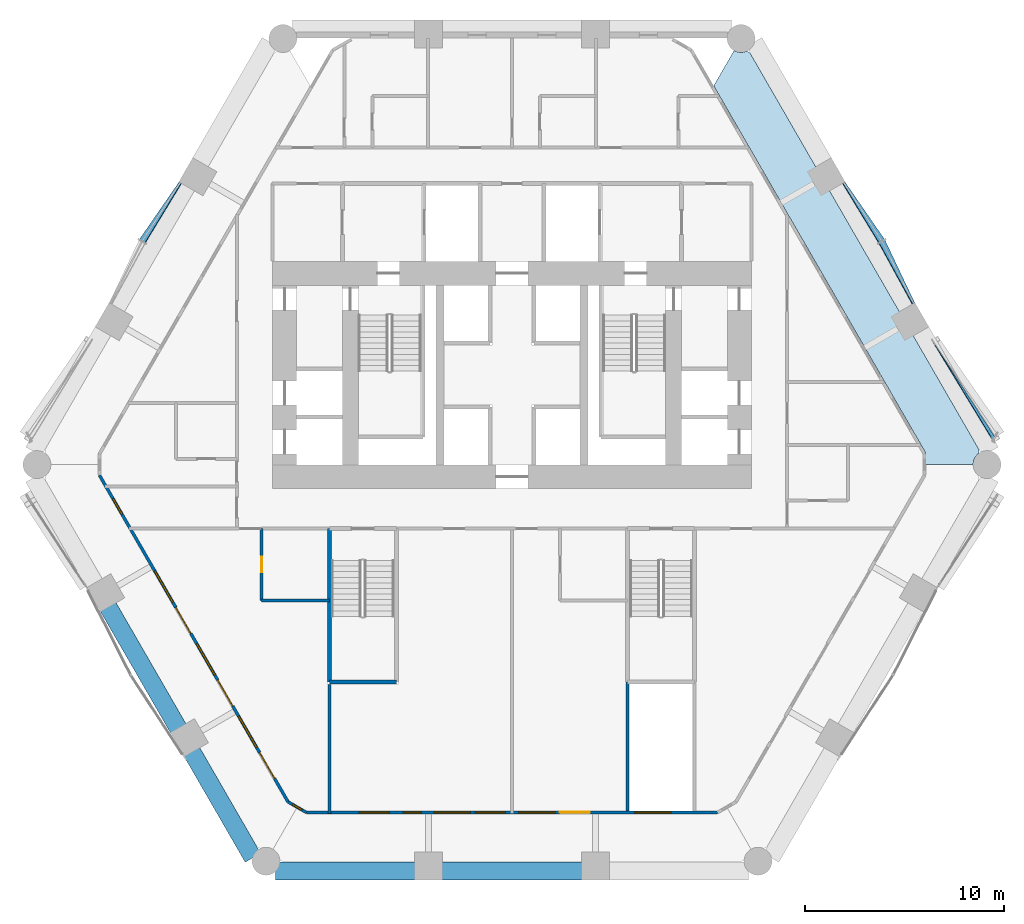
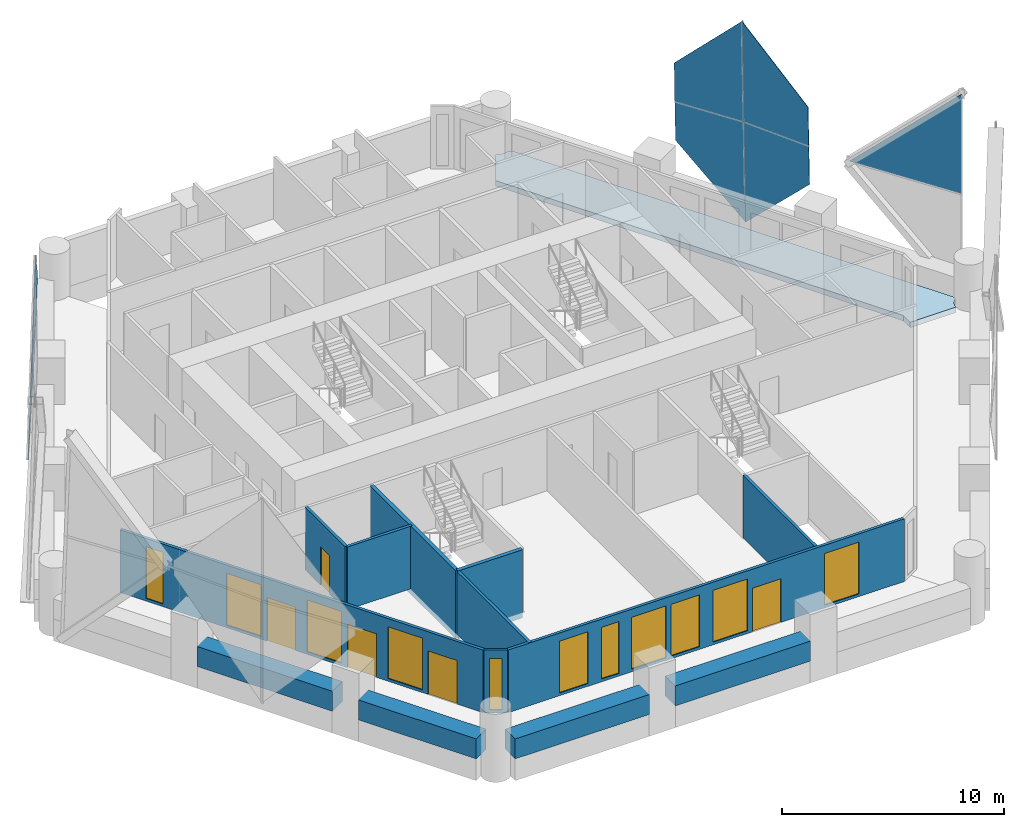
# One storey, part 8 of 16: 13 walls, 11 windows, 7 plates, 5 doors, 1 slab, 16 openings, 6 elements without a shape of their own.
"""IFC4 building model written with IfcOpenShell, lengths in metres."""

from ifc_helpers import new_model, si_unit, direction, frame, frame_2d, origin, place, context, subcontext, project, spatial, polyline, rectangle, outline, extrude, material, layer, layer_set, type_object, element, fill, aggregate, save


model = new_model("IFC4")

# Units and contexts
model_context = context("Model", 3, precision=1e-05, world=origin(), true_north=direction((0.0, 1.0)))
body_context = subcontext(model_context, "Body", "Model", "MODEL_VIEW")
ifc_project = project(units=[si_unit("LENGTHUNIT", "METRE"), si_unit("AREAUNIT", "SQUARE_METRE"), si_unit("VOLUMEUNIT", "CUBIC_METRE"), si_unit("PLANEANGLEUNIT", "RADIAN"), si_unit("MASSUNIT", "GRAM", prefix="KILO")], contexts=[model_context])

# Site, building, storey
site_placement = place(None, origin())
site = spatial("IfcSite", under=ifc_project, at=site_placement, CompositionType="ELEMENT")
building_placement = place(site_placement, origin())
building = spatial("IfcBuilding", under=site, at=building_placement, Name="Ostrander Bayou Hotel Tower", CompositionType="ELEMENT")
storey_placement = place(building_placement, frame((0.0, 0.0, 58.0)))
storey = spatial("IfcBuildingStorey", under=building, at=storey_placement, Name="L14", CompositionType="ELEMENT", Elevation=58.0)

# Curtain wall, plate
ifc_material_1 = material(Name="Aluminium and clear glass", Category="aluminium")
curtain_wall_type = type_object("IfcCurtainWallType", Name="CW-LAT lattice glazing", PredefinedType="NOTDEFINED", material=ifc_material_1)
curtain_wall_1_placement = place(storey_placement, origin())
curtain_wall_1 = element("IfcCurtainWall", 1, at=curtain_wall_1_placement, inside=storey, type_object=curtain_wall_type, Name="CW-LAT L14 NW 1", PredefinedType="NOTDEFINED")
ifc_material_2 = material(Name="Clear laminated glass", Category="glass")
ifc_layer_1 = layer(ifc_material_2, 0.028076171875)
ifc_layer_set_1 = layer_set([ifc_layer_1], Name="CW-LA glazing panel 28 mm")
plate_type = type_object("IfcPlateType", Name="CW-LA glazing panel 28 mm", PredefinedType="CURTAIN_PANEL", material=ifc_layer_set_1)
plate_1_placement = place(storey_placement, frame((-16.699462890625, 13.66943359375, 2.8642578125), z_axis=(-0.838524001755, 0.544090675387, 0.02903162823), x_axis=(-0.40382208986, -0.584811603426, -0.703507717256)))
plate_1 = element("IfcPlate", 2, at=plate_1_placement, type_object=plate_type, Name="CW-LAT panel 1", PredefinedType="CURTAIN_PANEL", context=body_context, shape_type="SweptSolid", body=[
    extrude(outline(polyline([(0.0, 0.0), (4.924400171824253, -4.440892098500626e-16), (0.957817473935084, 3.991689721168232), (-1.5200857145184392, 1.5367737667632806), (0.0, 0.0)])), origin(), (0.0, 0.0, -1.0), 0.028076171875),
])
aggregate(curtain_wall_1, [plate_1])

curtain_wall_2_placement = place(storey_placement, origin())
curtain_wall_2 = element("IfcCurtainWall", 3, at=curtain_wall_2_placement, inside=storey, type_object=curtain_wall_type, Name="CW-LAT L14 NW 2", PredefinedType="NOTDEFINED")
plate_2_placement = place(storey_placement, frame((-16.59228515625, 13.60400390625, 7.188720703125), z_axis=(-0.838541162864, 0.544063304229, 0.029048910018), x_axis=(-0.368913685949, -0.606209203595, 0.704565890316)))
plate_2 = element("IfcPlate", 4, at=plate_2_placement, type_object=plate_type, Name="CW-LAT panel 2", PredefinedType="CURTAIN_PANEL", context=body_context, shape_type="SweptSolid", body=[
    extrude(outline(polyline([(0.0, 0.0), (4.912504097474547, 0.0), (0.9520696871846834, -3.9977985960888356), (-1.525818217336063, -1.5355578216729244), (0.0, 0.0)])), origin(), (0.0, 0.0, -1.0), 0.028076171875),
])
aggregate(curtain_wall_2, [plate_2])

curtain_wall_3_placement = place(storey_placement, origin())
curtain_wall_3 = element("IfcCurtainWall", 5, at=curtain_wall_3_placement, inside=storey, type_object=curtain_wall_type, Name="CW-LAT L14 NE 4", PredefinedType="NOTDEFINED")
plate_3_placement = place(storey_placement, frame((21.12353515625, 5.655029296875, 5.02490234375), z_axis=(0.83853812444, 0.544023605388, 0.029868556061), x_axis=(0.371713120223, -0.611304029252, 0.698667832431)))
plate_3 = element("IfcPlate", 6, at=plate_3_placement, type_object=plate_type, Name="CW-LAT panel 2", PredefinedType="CURTAIN_PANEL", context=body_context, shape_type="SweptSolid", body=[
    extrude(outline(polyline([(0.0, 0.0), (8.051036184717628, 0.0), (4.056065653857604, 3.9644006906785543), (0.0, 0.0)])), origin(), (0.0, 0.0, -1.0), 0.028076171875),
])

curtain_wall_4_placement = place(storey_placement, origin())
curtain_wall_4 = element("IfcCurtainWall", 7, at=curtain_wall_4_placement, inside=storey, type_object=curtain_wall_type, Name="CW-LAT L14 NE 1", PredefinedType="NOTDEFINED")
plate_4_placement = place(storey_placement, frame((20.18798828125, 7.62744140625, 2.8642578125), z_axis=(0.890439229566, 0.454174800293, 0.029038409525), x_axis=(-0.304579991405, 0.642127874992, -0.703493298471)))
plate_4 = element("IfcPlate", 8, at=plate_4_placement, type_object=plate_type, Name="CW-LAT panel 3", PredefinedType="CURTAIN_PANEL", context=body_context, shape_type="SweptSolid", body=[
    extrude(outline(polyline([(0.0, 0.0), (4.924499416356454, 0.0), (0.9579608323994302, 3.991733556253059), (-1.5199176317684213, 1.536942505169317), (0.0, 0.0)])), origin(), (0.0, 0.0, -1.0), 0.028076171875),
])
aggregate(curtain_wall_4, [plate_4])

curtain_wall_5_placement = place(storey_placement, origin())
curtain_wall_5 = element("IfcCurtainWall", 9, at=curtain_wall_5_placement, inside=storey, type_object=curtain_wall_type, Name="CW-LAT L14 NE 2", PredefinedType="NOTDEFINED")
plate_5_placement = place(storey_placement, frame((20.07763671875, 7.567138671875, 7.188720703125), z_axis=(0.890447580479, 0.454158167549, 0.029042473495), x_axis=(-0.340543410235, 0.622635300679, 0.704524994655)))
plate_5 = element("IfcPlate", 10, at=plate_5_placement, type_object=plate_type, Name="CW-LAT panel 4", PredefinedType="CURTAIN_PANEL", context=body_context, shape_type="SweptSolid", body=[
    extrude(outline(polyline([(0.0, 0.0), (4.912791143011278, 0.0), (0.9524569700453673, -3.9978978933566216), (-1.5257180513649684, -1.5356548986599683), (0.0, 0.0)])), origin(), (0.0, 0.0, -1.0), 0.028076171875),
])
aggregate(curtain_wall_5, [plate_5])

curtain_wall_6_placement = place(storey_placement, origin())
curtain_wall_6 = element("IfcCurtainWall", 11, at=curtain_wall_6_placement, inside=storey, type_object=curtain_wall_type, Name="CW-LAT L14 NE 3", PredefinedType="NOTDEFINED")
plate_6_placement = place(storey_placement, frame((16.699462890625, 13.66943359375, 2.8642578125), z_axis=(0.838524001755, 0.544090675387, 0.02903162823), x_axis=(0.40382208986, -0.584811603426, -0.703507717256)))
plate_6 = element("IfcPlate", 12, at=plate_6_placement, type_object=plate_type, Name="CW-LAT panel 5", PredefinedType="CURTAIN_PANEL", context=body_context, shape_type="SweptSolid", body=[
    extrude(outline(polyline([(0.0, 0.0), (4.924400171824253, 4.440892098500626e-16), (0.957817473935084, -3.991689721168232), (-1.5200857145184392, -1.5367737667632806), (0.0, 0.0)])), origin(), (0.0, 0.0, -1.0), 0.028076171875),
])
aggregate(curtain_wall_6, [plate_6])

# Plate
plate_7_placement = place(storey_placement, frame((16.59228515625, 13.60400390625, 7.188720703125), z_axis=(0.838541162864, 0.544063304229, 0.029048910018), x_axis=(0.368913685949, -0.606209203595, 0.704565890316)))
plate_7 = element("IfcPlate", 13, at=plate_7_placement, type_object=plate_type, Name="CW-LAT panel 6", PredefinedType="CURTAIN_PANEL", context=body_context, shape_type="SweptSolid", body=[
    extrude(outline(polyline([(0.0, 0.0), (4.912504097474547, 0.0), (0.9520696871846834, 3.9977985960888356), (-1.525818217336063, 1.5355578216729244), (0.0, 0.0)])), origin(), (0.0, 0.0, -1.0), 0.028076171875),
])

aggregate(curtain_wall_3, [plate_3, plate_7])

# Slab
ifc_material_3 = material(Name="Concrete f'c 40 MPa", Category="concrete")
ifc_layer_2 = layer(ifc_material_3, 0.300048828125)
ifc_layer_set_2 = layer_set([ifc_layer_2], Name="SL4 loggia slab 300 mm f'c 40 MPa")
slab_type = type_object("IfcSlabType", Name="SL4 loggia slab 300 mm f'c 40 MPa", PredefinedType="FLOOR", material=ifc_layer_set_2)
slab_placement = place(storey_placement, frame((0.0, 0.0, -0.300048828125)))
element("IfcSlab", 14, at=slab_placement, inside=storey, type_object=slab_type, Name="SL4 LOGGIA L14 NE 1", PredefinedType="FLOOR", context=body_context, shape_type="SweptSolid", body=[
    extrude(outline(polyline([(11.13525390625, 20.2685546875), (11.2158203125, 20.2255859375), (11.34716796875, 20.185791015625), (11.483642578125, 20.172119140625), (11.620361328125, 20.185791015625), (11.751708984375, 20.2255859375), (11.777587890625, 20.239501953125), (11.9326171875, 20.14990234375), (17.70068359375, 10.159423828125), (19.4375, 7.1513671875), (20.107421875, 5.990966796875), (23.416748046875, 0.259033203125), (23.416748046875, 0.081298828125), (23.32275390625, 0.00390625), (23.235595703125, -0.10205078125), (23.1708984375, -0.22314453125), (23.131103515625, -0.3544921875), (23.11767578125, -0.490966796875), (20.732177734375, -0.490966796875), (20.732177734375, 0.10888671875), (10.114013671875, 18.5), (11.13525390625, 20.2685546875)])), origin(), (0.0, 0.0, 1.0), 0.300048828125),
])

# Wall, openings, doors, windows
ifc_material_4 = material(Name="Aluminium framed insulated wall", Category="aluminium")
ifc_layer_3 = layer(ifc_material_4, 0.14990234375)
ifc_layer_set_3 = layer_set([ifc_layer_3], Name="GW1 glass-line wall 150 mm")
wall_type_1 = type_object("IfcWallType", Name="GW1 glass-line wall 150 mm", PredefinedType="SOLIDWALL", material=ifc_layer_set_3)
wall_1_placement = place(storey_placement, frame((-20.6845703125, -1.0234375, 0.0), z_axis=(0.0, 0.0, 1.0), x_axis=(0.500004426522, -0.866022848116, 0.0)))
wall_1 = element("IfcWall", 15, at=wall_1_placement, inside=storey, type_object=wall_type_1, Name="GW1 L14 SW 1", PredefinedType="SOLIDWALL", context=body_context, shape_type="SweptSolid", body=[
    extrude(rectangle(XDim=18.911865234375, YDim=0.14990234375, at=frame_2d((9.4560546875, 0.0))), origin(), (0.0, 0.0, 1.0), 3.449951171875),
])
opening_1_placement = place(wall_1_placement, frame((1.35595703125, 0.0, 0.14990234375)))
opening_1 = element("IfcOpeningElement", 16, at=opening_1_placement, cuts=wall_1, Name="Opening W15", PredefinedType="OPENING", context=body_context, shape_type="SweptSolid", body=[
    extrude(rectangle(XDim=0.89990234375, YDim=2.85009765625, at=frame_2d((0.449951171875, 1.425048828125))), frame((0.0, 0.074951171875, 0.0), z_axis=(0.0, -1.0, 0.0), x_axis=(1.0, 0.0, 0.0)), (0.0, 0.0, 1.0), 0.14990234375),
])
opening_2_placement = place(wall_1_placement, frame((5.555908203125, 0.0, 0.14990234375)))
opening_2 = element("IfcOpeningElement", 17, at=opening_2_placement, cuts=wall_1, Name="Opening W1", PredefinedType="OPENING", context=body_context, shape_type="SweptSolid", body=[
    extrude(rectangle(XDim=1.800048828125, YDim=2.85009765625, at=frame_2d((0.89990234375, 1.425048828125))), frame((0.0, 0.074951171875, 0.0), z_axis=(0.0, -1.0, 0.0), x_axis=(1.0, 0.0, 0.0)), (0.0, 0.0, 1.0), 0.14990234375),
])
opening_3_placement = place(wall_1_placement, frame((7.656005859375, 0.0, 0.0)))
opening_3 = element("IfcOpeningElement", 18, at=opening_3_placement, cuts=wall_1, Name="Opening T12-800", PredefinedType="OPENING", context=body_context, shape_type="SweptSolid", body=[
    extrude(rectangle(XDim=1.5, YDim=2.39990234375, at=frame_2d((0.75, 1.199951171875))), frame((0.0, 0.074951171875, 0.0), z_axis=(0.0, -1.0, 0.0), x_axis=(1.0, 0.0, 0.0)), (0.0, 0.0, 1.0), 0.14990234375),
])
opening_4_placement = place(wall_1_placement, frame((9.755859375, 0.0, 0.14990234375)))
opening_4 = element("IfcOpeningElement", 19, at=opening_4_placement, cuts=wall_1, Name="Opening W1", PredefinedType="OPENING", context=body_context, shape_type="SweptSolid", body=[
    extrude(rectangle(XDim=1.800048828125, YDim=2.85009765625, at=frame_2d((0.89990234375, 1.425048828125))), frame((0.0, 0.074951171875, 0.0), z_axis=(0.0, -1.0, 0.0), x_axis=(1.0, 0.0, 0.0)), (0.0, 0.0, 1.0), 0.14990234375),
])
opening_5_placement = place(wall_1_placement, frame((11.85595703125, 0.0, 0.0)))
opening_5 = element("IfcOpeningElement", 20, at=opening_5_placement, cuts=wall_1, Name="Opening T12-801", PredefinedType="OPENING", context=body_context, shape_type="SweptSolid", body=[
    extrude(rectangle(XDim=1.5, YDim=2.39990234375, at=frame_2d((0.75, 1.199951171875))), frame((0.0, 0.074951171875, 0.0), z_axis=(0.0, -1.0, 0.0), x_axis=(1.0, 0.0, 0.0)), (0.0, 0.0, 1.0), 0.14990234375),
])
opening_6_placement = place(wall_1_placement, frame((13.955810546875, 0.0, 0.14990234375)))
opening_6 = element("IfcOpeningElement", 21, at=opening_6_placement, cuts=wall_1, Name="Opening W1", PredefinedType="OPENING", context=body_context, shape_type="SweptSolid", body=[
    extrude(rectangle(XDim=1.800048828125, YDim=2.85009765625, at=frame_2d((0.89990234375, 1.425048828125))), frame((0.0, 0.074951171875, 0.0), z_axis=(0.0, -1.0, 0.0), x_axis=(1.0, 0.0, 0.0)), (0.0, 0.0, 1.0), 0.14990234375),
])
opening_7_placement = place(wall_1_placement, frame((16.055908203125, 0.0, 0.0)))
opening_7 = element("IfcOpeningElement", 22, at=opening_7_placement, cuts=wall_1, Name="Opening T12-802", PredefinedType="OPENING", context=body_context, shape_type="SweptSolid", body=[
    extrude(rectangle(XDim=1.5, YDim=2.39990234375, at=frame_2d((0.75, 1.199951171875))), frame((0.0, 0.074951171875, 0.0), z_axis=(0.0, -1.0, 0.0), x_axis=(1.0, 0.0, 0.0)), (0.0, 0.0, 1.0), 0.14990234375),
])
ifc_material_5 = material(Name="Aluminium and clear glass", Category="aluminium")
door_type_1 = type_object("IfcDoorType", Name="SD1 sliding glass door 1500 mm, zone 1", OperationType="SLIDING_TO_LEFT", PredefinedType="DOOR", material=ifc_material_5)
door_1_placement = place(opening_3_placement, origin())
door_1 = element("IfcDoor", 23, at=door_1_placement, inside=storey, type_object=door_type_1, Name="SD1 L14 SW 2", OperationType="SLIDING_TO_RIGHT", OverallHeight=2.39990234375, OverallWidth=1.5, PredefinedType="DOOR", context=body_context, shape_type="SweptSolid", body=[
    extrude(rectangle(XDim=1.5, YDim=2.39990234375, at=frame_2d((0.75, 1.199951171875))), frame((0.0, 0.02490234375, 0.0), z_axis=(0.0, -1.0, 0.0), x_axis=(1.0, 0.0, 0.0)), (0.0, 0.0, 1.0), 0.050048828125),
])
fill(opening_3, door_1)
door_2_placement = place(opening_5_placement, origin())
door_2 = element("IfcDoor", 24, at=door_2_placement, inside=storey, type_object=door_type_1, Name="SD1 L14 SW 3", OperationType="SLIDING_TO_LEFT", OverallHeight=2.39990234375, OverallWidth=1.5, PredefinedType="DOOR", context=body_context, shape_type="SweptSolid", body=[
    extrude(rectangle(XDim=1.5, YDim=2.39990234375, at=frame_2d((0.75, 1.199951171875))), frame((0.0, 0.02490234375, 0.0), z_axis=(0.0, -1.0, 0.0), x_axis=(1.0, 0.0, 0.0)), (0.0, 0.0, 1.0), 0.050048828125),
])
fill(opening_5, door_2)
door_3_placement = place(opening_7_placement, origin())
door_3 = element("IfcDoor", 25, at=door_3_placement, inside=storey, type_object=door_type_1, Name="SD1 L14 SW 4", OperationType="SLIDING_TO_RIGHT", OverallHeight=2.39990234375, OverallWidth=1.5, PredefinedType="DOOR", context=body_context, shape_type="SweptSolid", body=[
    extrude(rectangle(XDim=1.5, YDim=2.39990234375, at=frame_2d((0.75, 1.199951171875))), frame((0.0, 0.02490234375, 0.0), z_axis=(0.0, -1.0, 0.0), x_axis=(1.0, 0.0, 0.0)), (0.0, 0.0, 1.0), 0.050048828125),
])
fill(opening_7, door_3)
ifc_material_6 = material(Name="Aluminium and clear glass", Category="aluminium")
window_type_1 = type_object("IfcWindowType", Name="W1 fixed window 1800 mm, zone 1", PartitioningType="SINGLE_PANEL", PredefinedType="WINDOW", material=ifc_material_6)
window_1_placement = place(opening_2_placement, origin())
window_1 = element("IfcWindow", 26, at=window_1_placement, inside=storey, type_object=window_type_1, Name="W1 L14 SW 2", OverallHeight=2.85009765625, OverallWidth=1.800048828125, PartitioningType="SINGLE_PANEL", PredefinedType="WINDOW", context=body_context, shape_type="SweptSolid", body=[
    extrude(rectangle(XDim=1.800048828125, YDim=2.85009765625, at=frame_2d((0.89990234375, 1.425048828125))), frame((0.0, 0.030029296875, 0.0), z_axis=(0.0, -1.0, 0.0), x_axis=(1.0, 0.0, 0.0)), (0.0, 0.0, 1.0), 0.06005859375),
])
fill(opening_2, window_1)
window_2_placement = place(opening_4_placement, origin())
window_2 = element("IfcWindow", 27, at=window_2_placement, inside=storey, type_object=window_type_1, Name="W1 L14 SW 3", OverallHeight=2.85009765625, OverallWidth=1.800048828125, PartitioningType="SINGLE_PANEL", PredefinedType="WINDOW", context=body_context, shape_type="SweptSolid", body=[
    extrude(rectangle(XDim=1.800048828125, YDim=2.85009765625, at=frame_2d((0.89990234375, 1.425048828125))), frame((0.0, 0.030029296875, 0.0), z_axis=(0.0, -1.0, 0.0), x_axis=(1.0, 0.0, 0.0)), (0.0, 0.0, 1.0), 0.06005859375),
])
fill(opening_4, window_2)
window_3_placement = place(opening_6_placement, origin())
window_3 = element("IfcWindow", 28, at=window_3_placement, inside=storey, type_object=window_type_1, Name="W1 L14 SW 4", OverallHeight=2.85009765625, OverallWidth=1.800048828125, PartitioningType="SINGLE_PANEL", PredefinedType="WINDOW", context=body_context, shape_type="SweptSolid", body=[
    extrude(rectangle(XDim=1.800048828125, YDim=2.85009765625, at=frame_2d((0.89990234375, 1.425048828125))), frame((0.0, 0.030029296875, 0.0), z_axis=(0.0, -1.0, 0.0), x_axis=(1.0, 0.0, 0.0)), (0.0, 0.0, 1.0), 0.06005859375),
])
fill(opening_6, window_3)
ifc_material_7 = material(Name="Aluminium and clear glass", Category="aluminium")
window_type_2 = type_object("IfcWindowType", Name="W15 window 900 mm, zone 1", PartitioningType="SINGLE_PANEL", PredefinedType="WINDOW", material=ifc_material_7)
window_4_placement = place(opening_1_placement, origin())
window_4 = element("IfcWindow", 29, at=window_4_placement, inside=storey, type_object=window_type_2, Name="W15 L14 SW 1", OverallHeight=2.85009765625, OverallWidth=0.89990234375, PartitioningType="SINGLE_PANEL", PredefinedType="WINDOW", context=body_context, shape_type="SweptSolid", body=[
    extrude(rectangle(XDim=0.89990234375, YDim=2.85009765625, at=frame_2d((0.449951171875, 1.425048828125))), frame((0.0, 0.030029296875, 0.0), z_axis=(0.0, -1.0, 0.0), x_axis=(1.0, 0.0, 0.0)), (0.0, 0.0, 1.0), 0.06005859375),
])
fill(opening_1, window_4)

# Wall, openings, door, windows
wall_2_placement = place(storey_placement, frame((-10.306396484375, -17.93408203125, 0.0), z_axis=(0.0, 0.0, 1.0), x_axis=(1.0, 0.0, 0.0)))
wall_2 = element("IfcWall", 30, at=wall_2_placement, inside=storey, type_object=wall_type_1, Name="GW1 L14 S 1", PredefinedType="SOLIDWALL", context=body_context, shape_type="SweptSolid", body=[
    extrude(rectangle(XDim=20.61279296875, YDim=0.14990234375, at=frame_2d((10.306396484375, 0.0))), origin(), (0.0, 0.0, 1.0), 3.449951171875),
])
opening_8_placement = place(wall_2_placement, frame((4.856201171875, 0.0, 0.14990234375)))
opening_8 = element("IfcOpeningElement", 31, at=opening_8_placement, cuts=wall_2, Name="Opening W15", PredefinedType="OPENING", context=body_context, shape_type="SweptSolid", body=[
    extrude(rectangle(XDim=0.89990234375, YDim=2.85009765625, at=frame_2d((0.449951171875, 1.425048828125))), frame((0.0, 0.074951171875, 0.0), z_axis=(0.0, -1.0, 0.0), x_axis=(1.0, 0.0, 0.0)), (0.0, 0.0, 1.0), 0.14990234375),
])
opening_9_placement = place(wall_2_placement, frame((2.65625, 0.0, 0.14990234375)))
opening_9 = element("IfcOpeningElement", 32, at=opening_9_placement, cuts=wall_2, Name="Opening W11", PredefinedType="OPENING", context=body_context, shape_type="SweptSolid", body=[
    extrude(rectangle(XDim=1.5, YDim=2.85009765625, at=frame_2d((0.75, 1.425048828125))), frame((0.0, 0.074951171875, 0.0), z_axis=(0.0, -1.0, 0.0), x_axis=(1.0, 0.0, 0.0)), (0.0, 0.0, 1.0), 0.14990234375),
])
opening_10_placement = place(wall_2_placement, frame((6.40625, 0.0, 0.14990234375)))
opening_10 = element("IfcOpeningElement", 33, at=opening_10_placement, cuts=wall_2, Name="Opening W1", PredefinedType="OPENING", context=body_context, shape_type="SweptSolid", body=[
    extrude(rectangle(XDim=1.800048828125, YDim=2.85009765625, at=frame_2d((0.89990234375, 1.425048828125))), frame((0.0, 0.074951171875, 0.0), z_axis=(0.0, -1.0, 0.0), x_axis=(1.0, 0.0, 0.0)), (0.0, 0.0, 1.0), 0.14990234375),
])
opening_11_placement = place(wall_2_placement, frame((8.456298828125, 0.0, 0.14990234375)))
opening_11 = element("IfcOpeningElement", 34, at=opening_11_placement, cuts=wall_2, Name="Opening W11", PredefinedType="OPENING", context=body_context, shape_type="SweptSolid", body=[
    extrude(rectangle(XDim=1.5, YDim=2.85009765625, at=frame_2d((0.75, 1.425048828125))), frame((0.0, 0.074951171875, 0.0), z_axis=(0.0, -1.0, 0.0), x_axis=(1.0, 0.0, 0.0)), (0.0, 0.0, 1.0), 0.14990234375),
])
opening_12_placement = place(wall_2_placement, frame((10.65625, 0.0, 0.14990234375)))
opening_12 = element("IfcOpeningElement", 35, at=opening_12_placement, cuts=wall_2, Name="Opening W1", PredefinedType="OPENING", context=body_context, shape_type="SweptSolid", body=[
    extrude(rectangle(XDim=1.800048828125, YDim=2.85009765625, at=frame_2d((0.89990234375, 1.425048828125))), frame((0.0, 0.074951171875, 0.0), z_axis=(0.0, -1.0, 0.0), x_axis=(1.0, 0.0, 0.0)), (0.0, 0.0, 1.0), 0.14990234375),
])
opening_13_placement = place(wall_2_placement, frame((12.706298828125, 0.0, 0.0)))
opening_13 = element("IfcOpeningElement", 36, at=opening_13_placement, cuts=wall_2, Name="Opening T12-803", PredefinedType="OPENING", context=body_context, shape_type="SweptSolid", body=[
    extrude(rectangle(XDim=1.5, YDim=2.39990234375, at=frame_2d((0.75, 1.199951171875))), frame((0.0, 0.074951171875, 0.0), z_axis=(0.0, -1.0, 0.0), x_axis=(1.0, 0.0, 0.0)), (0.0, 0.0, 1.0), 0.14990234375),
])
opening_14_placement = place(wall_2_placement, frame((16.456298828125, 0.0, 0.14990234375)))
opening_14 = element("IfcOpeningElement", 37, at=opening_14_placement, cuts=wall_2, Name="Opening W1", PredefinedType="OPENING", context=body_context, shape_type="SweptSolid", body=[
    extrude(rectangle(XDim=1.800048828125, YDim=2.85009765625, at=frame_2d((0.89990234375, 1.425048828125))), frame((0.0, 0.074951171875, 0.0), z_axis=(0.0, -1.0, 0.0), x_axis=(1.0, 0.0, 0.0)), (0.0, 0.0, 1.0), 0.14990234375),
])
door_4_placement = place(opening_13_placement, origin())
door_4 = element("IfcDoor", 38, at=door_4_placement, inside=storey, type_object=door_type_1, Name="SD1 L14 S 3", OperationType="SLIDING_TO_LEFT", OverallHeight=2.39990234375, OverallWidth=1.5, PredefinedType="DOOR", context=body_context, shape_type="SweptSolid", body=[
    extrude(rectangle(XDim=1.5, YDim=2.39990234375, at=frame_2d((0.75, 1.199951171875))), frame((0.0, 0.02490234375, 0.0), z_axis=(0.0, -1.0, 0.0), x_axis=(1.0, 0.0, 0.0)), (0.0, 0.0, 1.0), 0.050048828125),
])
fill(opening_13, door_4)
window_5_placement = place(opening_10_placement, origin())
window_5 = element("IfcWindow", 39, at=window_5_placement, inside=storey, type_object=window_type_1, Name="W1 L14 S 2", OverallHeight=2.85009765625, OverallWidth=1.800048828125, PartitioningType="SINGLE_PANEL", PredefinedType="WINDOW", context=body_context, shape_type="SweptSolid", body=[
    extrude(rectangle(XDim=1.800048828125, YDim=2.85009765625, at=frame_2d((0.89990234375, 1.425048828125))), frame((0.0, 0.030029296875, 0.0), z_axis=(0.0, -1.0, 0.0), x_axis=(1.0, 0.0, 0.0)), (0.0, 0.0, 1.0), 0.06005859375),
])
fill(opening_10, window_5)
window_6_placement = place(opening_12_placement, origin())
window_6 = element("IfcWindow", 40, at=window_6_placement, inside=storey, type_object=window_type_1, Name="W1 L14 S 3", OverallHeight=2.85009765625, OverallWidth=1.800048828125, PartitioningType="SINGLE_PANEL", PredefinedType="WINDOW", context=body_context, shape_type="SweptSolid", body=[
    extrude(rectangle(XDim=1.800048828125, YDim=2.85009765625, at=frame_2d((0.89990234375, 1.425048828125))), frame((0.0, 0.030029296875, 0.0), z_axis=(0.0, -1.0, 0.0), x_axis=(1.0, 0.0, 0.0)), (0.0, 0.0, 1.0), 0.06005859375),
])
fill(opening_12, window_6)
window_7_placement = place(opening_14_placement, origin())
window_7 = element("IfcWindow", 41, at=window_7_placement, inside=storey, type_object=window_type_1, Name="W1 L14 S 4", OverallHeight=2.85009765625, OverallWidth=1.800048828125, PartitioningType="SINGLE_PANEL", PredefinedType="WINDOW", context=body_context, shape_type="SweptSolid", body=[
    extrude(rectangle(XDim=1.800048828125, YDim=2.85009765625, at=frame_2d((0.89990234375, 1.425048828125))), frame((0.0, 0.030029296875, 0.0), z_axis=(0.0, -1.0, 0.0), x_axis=(1.0, 0.0, 0.0)), (0.0, 0.0, 1.0), 0.06005859375),
])
fill(opening_14, window_7)
ifc_material_8 = material(Name="Aluminium and clear glass", Category="aluminium")
window_type_3 = type_object("IfcWindowType", Name="W11 fixed window 1500 mm, bath bay, zone 1", PartitioningType="SINGLE_PANEL", PredefinedType="WINDOW", material=ifc_material_8)
window_8_placement = place(opening_9_placement, origin())
window_8 = element("IfcWindow", 42, at=window_8_placement, inside=storey, type_object=window_type_3, Name="W11 L14 S 1", OverallHeight=2.85009765625, OverallWidth=1.5, PartitioningType="SINGLE_PANEL", PredefinedType="WINDOW", context=body_context, shape_type="SweptSolid", body=[
    extrude(rectangle(XDim=1.5, YDim=2.85009765625, at=frame_2d((0.75, 1.425048828125))), frame((0.0, 0.030029296875, 0.0), z_axis=(0.0, -1.0, 0.0), x_axis=(1.0, 0.0, 0.0)), (0.0, 0.0, 1.0), 0.06005859375),
])
fill(opening_9, window_8)
window_9_placement = place(opening_11_placement, origin())
window_9 = element("IfcWindow", 43, at=window_9_placement, inside=storey, type_object=window_type_3, Name="W11 L14 S 2", OverallHeight=2.85009765625, OverallWidth=1.5, PartitioningType="SINGLE_PANEL", PredefinedType="WINDOW", context=body_context, shape_type="SweptSolid", body=[
    extrude(rectangle(XDim=1.5, YDim=2.85009765625, at=frame_2d((0.75, 1.425048828125))), frame((0.0, 0.030029296875, 0.0), z_axis=(0.0, -1.0, 0.0), x_axis=(1.0, 0.0, 0.0)), (0.0, 0.0, 1.0), 0.06005859375),
])
fill(opening_11, window_9)
window_10_placement = place(opening_8_placement, origin())
window_10 = element("IfcWindow", 44, at=window_10_placement, inside=storey, type_object=window_type_2, Name="W15 L14 S 1", OverallHeight=2.85009765625, OverallWidth=0.89990234375, PartitioningType="SINGLE_PANEL", PredefinedType="WINDOW", context=body_context, shape_type="SweptSolid", body=[
    extrude(rectangle(XDim=0.89990234375, YDim=2.85009765625, at=frame_2d((0.449951171875, 1.425048828125))), frame((0.0, 0.030029296875, 0.0), z_axis=(0.0, -1.0, 0.0), x_axis=(1.0, 0.0, 0.0)), (0.0, 0.0, 1.0), 0.06005859375),
])
fill(opening_8, window_10)

# Wall, opening, window
wall_3_placement = place(storey_placement, frame((-11.228515625, -17.401611328125, 0.0), z_axis=(0.0, 0.0, 1.0), x_axis=(0.865990848561, -0.500059846627, 0.0)))
wall_3 = element("IfcWall", 45, at=wall_3_placement, inside=storey, type_object=wall_type_1, Name="GW1 L14 corner 3", PredefinedType="SOLIDWALL", context=body_context, shape_type="SweptSolid", body=[
    extrude(rectangle(XDim=1.064697265625, YDim=0.14990234375, at=frame_2d((0.5322265625, 0.0))), origin(), (0.0, 0.0, 1.0), 3.449951171875),
])
opening_15_placement = place(wall_3_placement, frame((0.257568359375, 0.0, 0.14990234375)))
opening_15 = element("IfcOpeningElement", 46, at=opening_15_placement, cuts=wall_3, Name="Opening W19", PredefinedType="OPENING", context=body_context, shape_type="SweptSolid", body=[
    extrude(rectangle(XDim=0.550048828125, YDim=2.85009765625, at=frame_2d((0.27490234375, 1.425048828125))), frame((0.0, 0.074951171875, 0.0), z_axis=(0.0, -1.0, 0.0), x_axis=(1.0, 0.0, 0.0)), (0.0, 0.0, 1.0), 0.14990234375),
])
ifc_material_9 = material(Name="Aluminium and clear glass", Category="aluminium")
window_type_4 = type_object("IfcWindowType", Name="W19 corner window 550 mm", PartitioningType="SINGLE_PANEL", PredefinedType="WINDOW", material=ifc_material_9)
window_11_placement = place(opening_15_placement, origin())
window_11 = element("IfcWindow", 47, at=window_11_placement, inside=storey, type_object=window_type_4, Name="W19 L14 corner 3", OverallHeight=2.85009765625, OverallWidth=0.550048828125, PartitioningType="SINGLE_PANEL", PredefinedType="WINDOW", context=body_context, shape_type="SweptSolid", body=[
    extrude(rectangle(XDim=0.550048828125, YDim=2.85009765625, at=frame_2d((0.27490234375, 1.425048828125))), frame((0.0, 0.030029296875, 0.0), z_axis=(0.0, -1.0, 0.0), x_axis=(1.0, 0.0, 0.0)), (0.0, 0.0, 1.0), 0.06005859375),
])
fill(opening_15, window_11)

# Walls
ifc_material_10 = material(Name="Concrete f'c 40 MPa", Category="concrete")
ifc_layer_4 = layer(ifc_material_10, 0.89990234375)
ifc_layer_set_4 = layer_set([ifc_layer_4], Name="PA1 stone-faced parapet 900 mm")
wall_type_2 = type_object("IfcWallType", Name="PA1 stone-faced parapet 900 mm", PredefinedType="PARAPET", material=ifc_layer_set_4)
wall_4_placement = place(storey_placement, frame((-11.852294921875, -20.85888671875, 0.0), z_axis=(0.0, 0.0, 1.0), x_axis=(1.0, 0.0, 0.0)))
element("IfcWall", 48, at=wall_4_placement, inside=storey, type_object=wall_type_2, Name="PA1 L14 S-1", PredefinedType="PARAPET", context=body_context, shape_type="SweptSolid", body=[
    extrude(rectangle(XDim=6.98681640625, YDim=0.89990234375, at=frame_2d((3.493408203125, 0.0))), origin(), (0.0, 0.0, 1.0), 1.10009765625),
])
wall_5_placement = place(storey_placement, frame((-3.525390625, -20.85888671875, 0.0), z_axis=(0.0, 0.0, 1.0), x_axis=(1.0, 0.0, 0.0)))
element("IfcWall", 49, at=wall_5_placement, inside=storey, type_object=wall_type_2, Name="PA1 L14 S-2", PredefinedType="PARAPET", context=body_context, shape_type="SweptSolid", body=[
    extrude(rectangle(XDim=7.05078125, YDim=0.89990234375, at=frame_2d((3.525390625, 0.0))), origin(), (0.0, 0.0, 1.0), 1.10009765625),
])
ifc_material_11 = material(Name="Limestone masonry", Category="masonry")
ifc_layer_5 = layer(ifc_material_11, 0.89990234375)
ifc_layer_set_5 = layer_set([ifc_layer_5], Name="PA2 limestone parapet 900 mm")
wall_type_3 = type_object("IfcWallType", Name="PA2 limestone parapet 900 mm", PredefinedType="PARAPET", material=ifc_layer_set_5)
wall_6_placement = place(storey_placement, frame((-20.252197265625, -7.621826171875, 0.0), z_axis=(0.0, 0.0, 1.0), x_axis=(0.499997206141, -0.866027016814, 0.0)))
element("IfcWall", 50, at=wall_6_placement, inside=storey, type_object=wall_type_3, Name="PA2 L14 SW-2", PredefinedType="PARAPET", context=body_context, shape_type="SweptSolid", body=[
    extrude(rectangle(XDim=7.05078125, YDim=0.89990234375, at=frame_2d((3.525390625, 0.0))), origin(), (0.0, 0.0, 1.0), 1.10009765625),
])
wall_7_placement = place(storey_placement, frame((-16.056884765625, -14.888671875, 0.0), z_axis=(0.0, 0.0, 1.0), x_axis=(0.500007141444, -0.86602128063, 0.0)))
element("IfcWall", 51, at=wall_7_placement, inside=storey, type_object=wall_type_3, Name="PA2 L14 SW-3", PredefinedType="PARAPET", context=body_context, shape_type="SweptSolid", body=[
    extrude(rectangle(XDim=6.13671875, YDim=0.89990234375, at=frame_2d((3.068359375, 0.0))), origin(), (0.0, 0.0, 1.0), 1.10009765625),
])
ifc_material_12 = material(Name="Gypsum board partition", Category="finish")
ifc_layer_6 = layer(ifc_material_12, 0.14990234375)
ifc_layer_set_6 = layer_set([ifc_layer_6], Name="PT7 riser wall 150 mm, 2 hour")
wall_type_4 = type_object("IfcWallType", Name="PT7 riser wall 150 mm, 2 hour", PredefinedType="PARTITIONING", material=ifc_layer_set_6)
wall_8_placement = place(storey_placement, frame((5.800048828125, -11.39990234375, 0.0), z_axis=(0.0, 0.0, 1.0), x_axis=(0.0, -1.0, 0.0)))
element("IfcWall", 52, at=wall_8_placement, inside=storey, type_object=wall_type_4, Name="cs:L14:017", PredefinedType="PARTITIONING", context=body_context, shape_type="SweptSolid", body=[
    extrude(rectangle(XDim=6.458984375, YDim=0.14990234375, at=frame_2d((3.2294921875, 0.0))), origin(), (0.0, 0.0, 1.0), 3.449951171875),
])
ifc_material_13 = material(Name="Gypsum board partition", Category="finish")
ifc_layer_7 = layer(ifc_material_13, 0.14990234375)
ifc_layer_set_7 = layer_set([ifc_layer_7], Name="PT8 service band wall 150 mm, 1 hour")
wall_type_5 = type_object("IfcWallType", Name="PT8 service band wall 150 mm, 1 hour", PredefinedType="PARTITIONING", material=ifc_layer_set_7)
wall_9_placement = place(storey_placement, frame((-12.550048828125, -7.300048828125, 0.0), z_axis=(0.0, 0.0, 1.0), x_axis=(1.0, 0.0, 0.0)))
element("IfcWall", 53, at=wall_9_placement, inside=storey, type_object=wall_type_5, Name="gw:L14:001", PredefinedType="PARTITIONING", context=body_context, shape_type="SweptSolid", body=[
    extrude(rectangle(XDim=3.39013671875, YDim=0.14990234375, at=frame_2d((1.695068359375, 0.0))), origin(), (0.0, 0.0, 1.0), 3.449951171875),
])
wall_10_placement = place(storey_placement, frame((-9.14990234375, -17.97900390625, 0.0), z_axis=(0.0, 0.0, 1.0), x_axis=(0.0, 1.0, 0.0)))
element("IfcWall", 54, at=wall_10_placement, inside=storey, type_object=wall_type_5, Name="gw:L14:032", PredefinedType="PARTITIONING", context=body_context, shape_type="SweptSolid", body=[
    extrude(rectangle(XDim=6.468994140625, YDim=0.14990234375, at=frame_2d((3.234375, 0.0))), origin(), (0.0, 0.0, 1.0), 3.449951171875),
])

# Wall, opening, door
wall_11_placement = place(storey_placement, frame((-12.550048828125, -7.300048828125, 0.0), z_axis=(0.0, 0.0, 1.0), x_axis=(0.0, 1.0, 0.0)))
wall_11 = element("IfcWall", 55, at=wall_11_placement, inside=storey, type_object=wall_type_5, Name="gw:L14:034", PredefinedType="PARTITIONING", context=body_context, shape_type="SweptSolid", body=[
    extrude(rectangle(XDim=3.60009765625, YDim=0.14990234375, at=frame_2d((1.800048828125, 0.0))), origin(), (0.0, 0.0, 1.0), 3.449951171875),
])
opening_16_placement = place(wall_11_placement, frame((1.39990234375, 0.0, 0.0)))
opening_16 = element("IfcOpeningElement", 56, at=opening_16_placement, cuts=wall_11, Name="Opening T12-402", PredefinedType="OPENING", context=body_context, shape_type="SweptSolid", body=[
    extrude(rectangle(XDim=0.800048828125, YDim=2.10009765625, at=frame_2d((0.39990234375, 1.050048828125))), frame((0.0, 0.074951171875, 0.0), z_axis=(0.0, -1.0, 0.0), x_axis=(1.0, 0.0, 0.0)), (0.0, 0.0, 1.0), 0.14990234375),
])
ifc_material_14 = material(Name="Timber door leaf", Category="wood")
door_type_2 = type_object("IfcDoorType", Name="D2 bathroom door 800 x 2100 mm", OperationType="SINGLE_SWING_LEFT", PredefinedType="DOOR", material=ifc_material_14)
door_5_placement = place(opening_16_placement, origin())
door_5 = element("IfcDoor", 57, at=door_5_placement, inside=storey, type_object=door_type_2, Name="dr:L14:402", OperationType="SINGLE_SWING_RIGHT", OverallHeight=2.10009765625, OverallWidth=0.800048828125, PredefinedType="DOOR", context=body_context, shape_type="SweptSolid", body=[
    extrude(rectangle(XDim=0.800048828125, YDim=2.10009765625, at=frame_2d((0.39990234375, 1.050048828125))), frame((0.0, 0.02490234375, 0.0), z_axis=(0.0, -1.0, 0.0), x_axis=(1.0, 0.0, 0.0)), (0.0, 0.0, 1.0), 0.050048828125),
])
fill(opening_16, door_5)

# Walls
ifc_material_15 = material(Name="Concrete f'c 45 MPa", Category="concrete")
ifc_layer_8 = layer(ifc_material_15, 0.199951171875)
ifc_layer_set_8 = layer_set([ifc_layer_8], Name="SW5 stair enclosure wall 200 mm f'c 45 MPa")
wall_type_6 = type_object("IfcWallType", Name="SW5 stair enclosure wall 200 mm f'c 45 MPa", PredefinedType="SOLIDWALL", material=ifc_layer_set_8)
wall_12_placement = place(storey_placement, frame((-9.14990234375, -3.699951171875, -0.300048828125), z_axis=(0.0, 0.0, 1.0), x_axis=(0.0, -1.0, 0.0)))
element("IfcWall", 58, at=wall_12_placement, inside=storey, type_object=wall_type_6, Name="cs:L14:020", PredefinedType="SOLIDWALL", context=body_context, shape_type="SweptSolid", body=[
    extrude(rectangle(XDim=7.699951171875, YDim=0.199951171875, at=frame_2d((3.85009765625, 0.0))), origin(), (0.0, 0.0, 1.0), 3.75),
])
wall_13_placement = place(storey_placement, frame((-9.14990234375, -11.39990234375, -0.300048828125), z_axis=(0.0, 0.0, 1.0), x_axis=(1.0, 0.0, 0.0)))
element("IfcWall", 59, at=wall_13_placement, inside=storey, type_object=wall_type_6, Name="cs:L14:022", PredefinedType="SOLIDWALL", context=body_context, shape_type="SweptSolid", body=[
    extrude(rectangle(XDim=3.349853515625, YDim=0.199951171875, at=frame_2d((1.6748046875, 0.0))), origin(), (0.0, 0.0, 1.0), 3.75),
])

save(model, "model.ifc")
